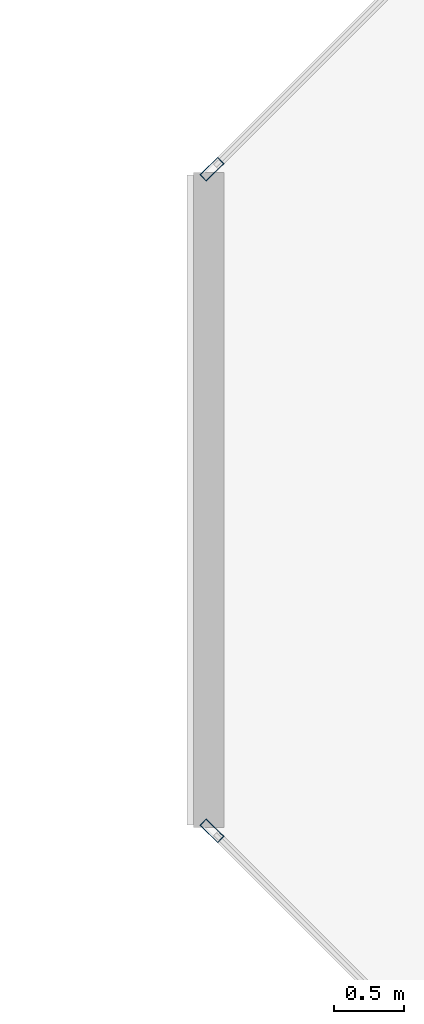
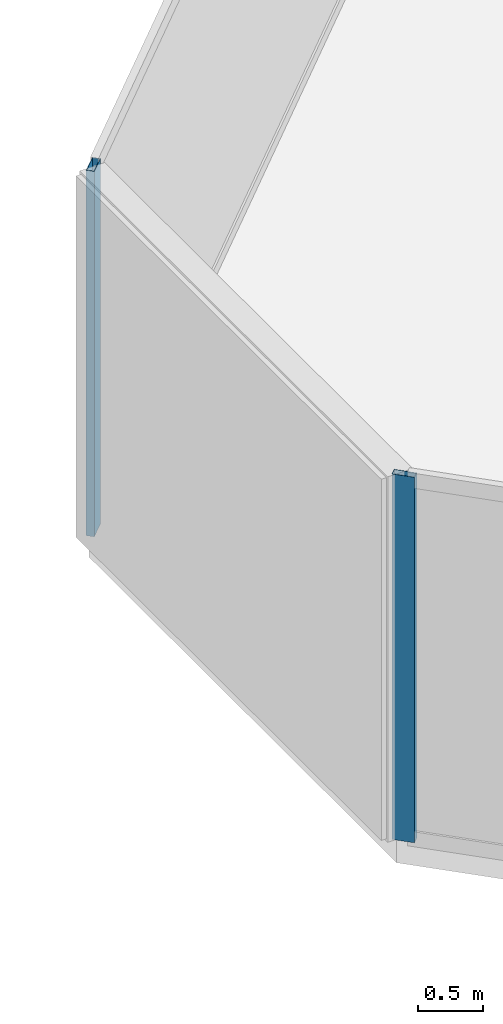
# One storey, part 7 of 30: 2 members, 2 elements without a shape of their own.
"""IFC4 building model written with IfcOpenShell, lengths in metres."""

from ifc_helpers import new_model, si_unit, direction, frame, origin, origin_2d, place, context, subcontext, project, spatial, hollow_rectangle, extrude, material, layer, layer_set, material_profile, profile_set, type_object, element, aggregate, save


model = new_model("IFC4")

# Units and contexts
model_context = context("Model", 3, precision=1e-05, world=origin(), true_north=direction((0.0, 1.0)))
body_context = subcontext(model_context, "Body", "Model", "MODEL_VIEW")
ifc_project = project(units=[si_unit("LENGTHUNIT", "METRE"), si_unit("AREAUNIT", "SQUARE_METRE"), si_unit("VOLUMEUNIT", "CUBIC_METRE"), si_unit("PLANEANGLEUNIT", "RADIAN"), si_unit("MASSUNIT", "GRAM", prefix="KILO")], contexts=[model_context])

# Site, building, storey
site_placement = place(None, origin())
site = spatial("IfcSite", under=ifc_project, at=site_placement, CompositionType="ELEMENT")
building_placement = place(site_placement, origin())
building = spatial("IfcBuilding", under=site, at=building_placement, Name="Tanjung Sevakor Pilgrim Tower", CompositionType="ELEMENT")
storey_placement = place(building_placement, frame((0.0, 0.0, 253.43994140625)))
storey = spatial("IfcBuildingStorey", under=building, at=storey_placement, Name="L71", CompositionType="ELEMENT", Elevation=253.43994140625)

# Curtain wall, member
ifc_material_1 = material(Name="Aluminium 6063-T6 and Low-E Glass", Category="aluminium")
ifc_layer = layer(ifc_material_1, 0.179931640625)
ifc_layer_set = layer_set([ifc_layer], Name="CW-SYS-CHAM")
curtain_wall_type = type_object("IfcCurtainWallType", Name="CW-SYS-CHAM", PredefinedType="NOTDEFINED", material=ifc_layer_set)
curtain_wall_1_placement = place(storey_placement, origin())
curtain_wall_1 = element("IfcCurtainWall", 1, at=curtain_wall_1_placement, inside=storey, type_object=curtain_wall_type, Name="L71 Curtain Wall CW-CHM-L71-EAST-5", PredefinedType="NOTDEFINED")
ifc_material_2 = material(Name="Aluminium 6063-T6", Category="aluminium")
ifc_material_profile = material_profile(ifc_material_2, hollow_rectangle(XDim=0.06494140625, YDim=0.179931640625, WallThickness=0.00390625, at=origin_2d()))
ifc_profile_set = profile_set([ifc_material_profile], Name="Aluminium 6063-T6")
member_type = type_object("IfcMemberType", Name="TYPE-CWM-1", PredefinedType="MULLION", material=ifc_profile_set)
member_1_placement = place(storey_placement, frame((52.23291015625, 35.977294921875, 0.0), z_axis=(0.0, 0.0, 1.0), x_axis=(0.707106781187, -0.707106781187, 0.0)))
member_1 = element("IfcMember", 2, at=member_1_placement, type_object=member_type, Name="CW-CHM mullion 2", PredefinedType="MULLION", context=body_context, shape_type="SweptSolid", body=[
    extrude(hollow_rectangle(XDim=0.06494140625, YDim=0.179931640625, WallThickness=0.00390625, at=origin_2d()), origin(), (0.0, 0.0, 1.0), 3.41015625),
])
aggregate(curtain_wall_1, [member_1])

curtain_wall_2_placement = place(storey_placement, origin())
curtain_wall_2 = element("IfcCurtainWall", 3, at=curtain_wall_2_placement, inside=storey, type_object=curtain_wall_type, Name="L71 Curtain Wall CW-CHM-L71-EAST-7", PredefinedType="NOTDEFINED")
member_2_placement = place(storey_placement, frame((52.23291015625, 31.22265625, 0.0), z_axis=(0.0, 0.0, 1.0), x_axis=(0.707106781187, 0.707106781187, 0.0)))
member_2 = element("IfcMember", 4, at=member_2_placement, type_object=member_type, Name="CW-CHM mullion 1", PredefinedType="MULLION", context=body_context, shape_type="SweptSolid", body=[
    extrude(hollow_rectangle(XDim=0.06494140625, YDim=0.179931640625, WallThickness=0.00390625, at=origin_2d()), origin(), (0.0, 0.0, 1.0), 3.41015625),
])
aggregate(curtain_wall_2, [member_2])

save(model, "model.ifc")
